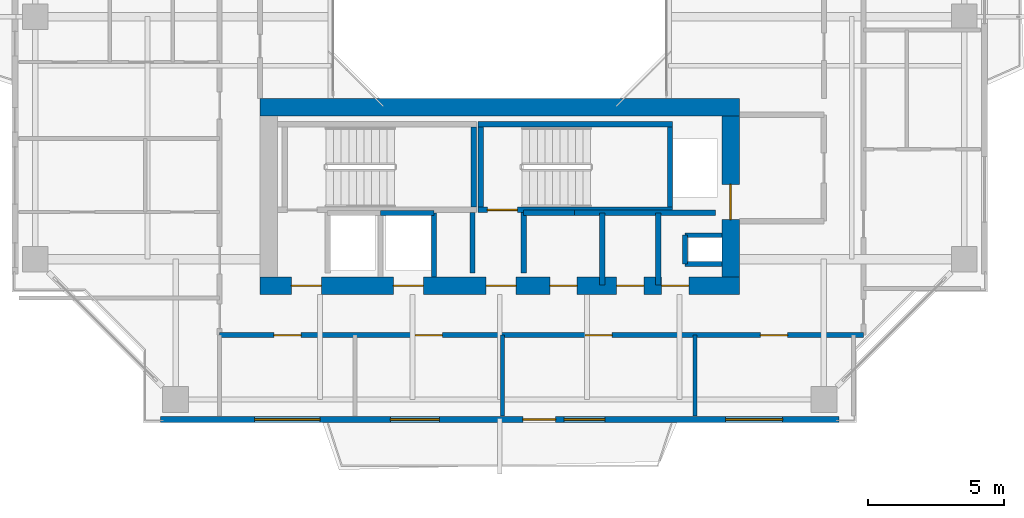
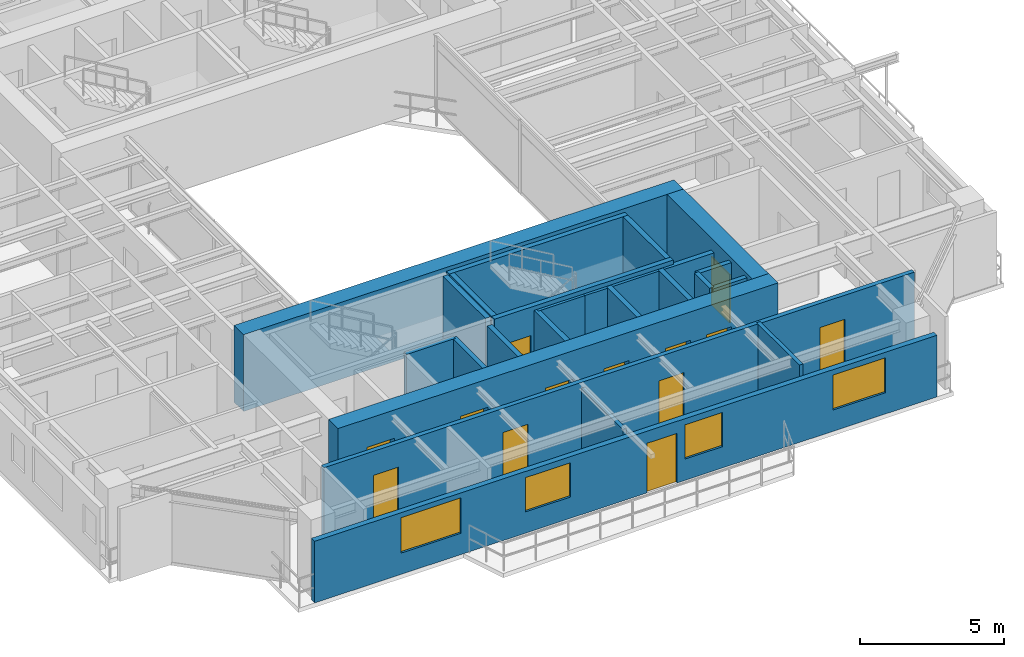
# One storey, part 11 of 18: 23 walls, 13 doors, 4 windows, 17 openings.
"""IFC4 building model written with IfcOpenShell, lengths in metres."""

import ifcopenshell
import ifcopenshell.guid

model = None  # the IFC model being written
_history = None  # IfcOwnerHistory: only IFC2X3 demands one
_inside = {}  # id of a spatial element -> (the spatial element, [elements in it])
_under = {}  # id of a project, library or spatial element -> (it, [spatial elements below it])
_declared = {}  # id of a project -> (the project, [libraries it declares])
_typed = {}  # id of a type object -> (the type object, [elements of that type])
_made_of = {}  # id of a material, layer set ... -> (it, [elements and type objects made of it])


def new_model(schema):
    """Start an empty IFC model of exactly this schema.

    Asked for "IFC4X3", IfcOpenShell would pick the latest addendum, in which some entities
    have other attributes; the version numbers below select the first issue.
    IFC2X3 requires an IfcOwnerHistory on every rooted entity: one is made here for all.
    """
    global model, _history
    if schema == "IFC4X3":
        model = ifcopenshell.file(schema_version=(4, 3, 0, 0))
    else:
        model = ifcopenshell.file(schema=schema)
    _inside.clear()
    _under.clear()
    _declared.clear()
    _typed.clear()
    _made_of.clear()
    _history = None
    if model.schema == "IFC2X3":
        org = make("IfcOrganization", Name="unknown")
        user = make(
            "IfcPersonAndOrganization",
            ThePerson=make("IfcPerson", FamilyName="unknown"),
            TheOrganization=org,
        )
        app = make(
            "IfcApplication",
            ApplicationDeveloper=org,
            Version="unknown",
            ApplicationFullName="unknown",
            ApplicationIdentifier="unknown",
        )
        _history = make(
            "IfcOwnerHistory",
            OwningUser=user,
            OwningApplication=app,
            ChangeAction="ADDED",
            CreationDate=0,
        )
    return model


def make(cls, **values):
    """One entity of the class cls with the attributes given. An attribute that is None is left unset."""
    return model.create_entity(
        cls, **{name: value for name, value in values.items() if value is not None}
    )


def rooted(cls, **values):
    """An entity with a GlobalId (a new one), such as an element, a storey or a relation."""
    return make(cls, GlobalId=ifcopenshell.guid.new(), OwnerHistory=_history, **values)


def si_unit(unit_type, name, prefix=None):
    """IfcSIUnit, for example si_unit("LENGTHUNIT", "METRE", prefix="MILLI")."""
    return make("IfcSIUnit", UnitType=unit_type, Prefix=prefix, Name=name)


def assignment(units):
    """IfcUnitAssignment: the units of a project."""
    return None if units is None else make("IfcUnitAssignment", Units=units)


def point(xyz):
    """IfcCartesianPoint."""
    return None if xyz is None else make("IfcCartesianPoint", Coordinates=xyz)


def direction(xyz):
    """IfcDirection."""
    return None if xyz is None else make("IfcDirection", DirectionRatios=xyz)


def frame(location, z_axis=None, x_axis=None):
    """IfcAxis2Placement3D, a coordinate frame: its origin and axes. An axis left out is left unset."""
    return make(
        "IfcAxis2Placement3D",
        Location=point(location),
        Axis=direction(z_axis),
        RefDirection=direction(x_axis),
    )


def frame_2d(location, x_axis=None):
    """IfcAxis2Placement2D, a coordinate frame in the plane: its origin and x axis."""
    return make(
        "IfcAxis2Placement2D", Location=point(location), RefDirection=direction(x_axis)
    )


def origin():
    """The frame at (0, 0, 0) with its axes left unset."""
    return frame((0.0, 0.0, 0.0))


def place(relative_to, where):
    """IfcLocalPlacement: puts the frame where relative to a parent placement (None: the world)."""
    return make(
        "IfcLocalPlacement", PlacementRelTo=relative_to, RelativePlacement=where
    )


def context(
    kind, dimensions, precision=None, world=None, true_north=None, identifier=None
):
    """IfcGeometricRepresentationContext, for example the 3D "Model" context."""
    return make(
        "IfcGeometricRepresentationContext",
        ContextIdentifier=identifier,
        ContextType=kind,
        CoordinateSpaceDimension=dimensions,
        Precision=precision,
        WorldCoordinateSystem=world,
        TrueNorth=true_north,
    )


def subcontext(parent, identifier, kind, view, scale=None):
    """IfcGeometricRepresentationSubContext, for example "Body" below "Model"."""
    return make(
        "IfcGeometricRepresentationSubContext",
        ContextIdentifier=identifier,
        ContextType=kind,
        ParentContext=parent,
        TargetScale=scale,
        TargetView=view,
    )


def project(units=None, contexts=None):
    """IfcProject with its units and contexts."""
    return rooted(
        "IfcProject",
        Name="project",
        RepresentationContexts=contexts,
        UnitsInContext=assignment(units),
    )


def spatial(cls, under=None, at=None, **own):
    """A site, building, storey or space (cls), placed at a placement, below another one or the project."""
    s = rooted(cls, ObjectPlacement=at, **own)
    if under is not None:
        _under.setdefault(under.id(), (under, []))[1].append(s)
    return s


def profile(cls, at=None, kind="AREA", **sizes):
    """A parametric profile (cls). Its sizes go by their IFC names, for example OverallWidth=200.0."""
    return make(cls, ProfileType=kind, Position=at, **sizes)


def rectangle(**sizes):
    """IfcRectangleProfileDef."""
    return profile("IfcRectangleProfileDef", **sizes)


def extrude(swept, where, along, depth):
    """IfcExtrudedAreaSolid: the profile swept, set in the frame where, extruded along a direction by depth."""
    return make(
        "IfcExtrudedAreaSolid",
        SweptArea=swept,
        Position=where,
        ExtrudedDirection=direction(along),
        Depth=depth,
    )


def shape(context_of_items, identifier, shape_type, items):
    """IfcShapeRepresentation: the items that make up one representation, for example the "Body"."""
    return make(
        "IfcShapeRepresentation",
        ContextOfItems=context_of_items,
        RepresentationIdentifier=identifier,
        RepresentationType=shape_type,
        Items=items,
    )


def source(mapping_origin, context_of_items, identifier, shape_type, items):
    """IfcRepresentationMap: a shape defined once, which mapped items show again and again."""
    return make(
        "IfcRepresentationMap",
        MappingOrigin=mapping_origin,
        MappedRepresentation=shape(context_of_items, identifier, shape_type, items),
    )


def transform(
    local_origin,
    x_axis=None,
    y_axis=None,
    z_axis=None,
    scale=None,
    scale2=None,
    scale3=None,
    uniform=True,
):
    """IfcCartesianTransformationOperator3D, or its non-uniform kind. x_axis, y_axis, z_axis: its Axis1, 2, 3."""
    if uniform:
        return make(
            "IfcCartesianTransformationOperator3D",
            Axis1=direction(x_axis),
            Axis2=direction(y_axis),
            LocalOrigin=point(local_origin),
            Scale=scale,
            Axis3=direction(z_axis),
        )
    return make(
        "IfcCartesianTransformationOperator3DnonUniform",
        Axis1=direction(x_axis),
        Axis2=direction(y_axis),
        LocalOrigin=point(local_origin),
        Scale=scale,
        Axis3=direction(z_axis),
        Scale2=scale2,
        Scale3=scale3,
    )


def mapped(mapping_source, mapping_target):
    """IfcMappedItem: shows the shape of a source again, moved by a transform."""
    return make(
        "IfcMappedItem", MappingSource=mapping_source, MappingTarget=mapping_target
    )


def material(Name=None, Category=None):
    """IfcMaterial."""
    return make("IfcMaterial", Name=Name, Category=Category)


def layer(
    of_material, thickness, ventilated=None, Name=None, Category=None, Priority=None
):
    """IfcMaterialLayer: one layer of a wall or slab, of a material (None: an air gap)."""
    return make(
        "IfcMaterialLayer",
        Material=of_material,
        LayerThickness=thickness,
        IsVentilated=ventilated,
        Name=Name,
        Category=Category,
        Priority=Priority,
    )


def layer_set(layers, Name=None):
    """IfcMaterialLayerSet."""
    return make("IfcMaterialLayerSet", MaterialLayers=layers, LayerSetName=Name)


def made_of(thing, what):
    """Note that an element or type object is made of a material, layer set ...; save() writes the relation."""
    if what is not None:
        _made_of.setdefault(what.id(), (what, []))[1].append(thing)
    return thing


def type_object(cls, material=None, **own):
    """A type object (cls), such as IfcWallType, which elements share."""
    return made_of(rooted(cls, **own), material)


def element(
    cls,
    number,
    at=None,
    inside=None,
    cuts=None,
    type_object=None,
    material=None,
    context=None,
    identifier="Body",
    shape_type=None,
    held_by="IfcProductDefinitionShape",
    body=None,
    shapes=None,
    **own,
):
    """One element of the class cls, such as IfcWall. Its Tag is "e" and its number.

    at: its placement. inside: the storey or other place that contains it. cuts: it is an
    opening in that element (IfcRelVoidsElement). A single representation is given by context,
    identifier, shape_type and body (its items); several are given by shapes. held_by: the class
    of the entity that holds the representations. save() writes the other relations.
    """
    e = rooted(cls, Tag="e%d" % number, ObjectPlacement=at, **own)
    if body is not None:
        shapes = [shape(context, identifier, shape_type, body)]
    if shapes is not None:
        e.Representation = make(held_by, Representations=shapes)
    if inside is not None:
        _inside.setdefault(inside.id(), (inside, []))[1].append(e)
    if cuts is not None:
        rooted(
            "IfcRelVoidsElement", RelatingBuildingElement=cuts, RelatedOpeningElement=e
        )
    if type_object is not None:
        _typed.setdefault(type_object.id(), (type_object, []))[1].append(e)
    return made_of(e, material)


def fill(opening, filler):
    """IfcRelFillsElement: the door or window that sits in an opening."""
    return rooted(
        "IfcRelFillsElement",
        RelatingOpeningElement=opening,
        RelatedBuildingElement=filler,
    )


def aggregate(whole, parts):
    """IfcRelAggregates: a whole, such as a stair, and the parts it consists of."""
    return rooted("IfcRelAggregates", RelatingObject=whole, RelatedObjects=parts)


def save(model, path):
    """Write the relations noted so far, then the file.

    IfcRelAggregates (storeys below a building ...), IfcRelContainedInSpatialStructure (elements
    in a storey), IfcRelDefinesByType, IfcRelAssociatesMaterial and IfcRelDeclares: one each for
    every whole, place, type object, material and project.
    """
    for whole, parts in _under.values():
        aggregate(whole, parts)
    for where, things in _inside.values():
        rooted(
            "IfcRelContainedInSpatialStructure",
            RelatedElements=things,
            RelatingStructure=where,
        )
    for kind, things in _typed.values():
        rooted("IfcRelDefinesByType", RelatedObjects=things, RelatingType=kind)
    for what, things in _made_of.values():
        rooted("IfcRelAssociatesMaterial", RelatedObjects=things, RelatingMaterial=what)
    for by, libraries in _declared.values():
        rooted("IfcRelDeclares", RelatingContext=by, RelatedDefinitions=libraries)
    model.write(path)


model = new_model("IFC4")

# Units and contexts
model_context = context("Model", 3, precision=1e-05, world=origin(), true_north=direction((0.0, 1.0)))
body_context = subcontext(model_context, "Body", "Model", "MODEL_VIEW")
ifc_project = project(units=[si_unit("LENGTHUNIT", "METRE"), si_unit("AREAUNIT", "SQUARE_METRE"), si_unit("VOLUMEUNIT", "CUBIC_METRE"), si_unit("PLANEANGLEUNIT", "RADIAN"), si_unit("MASSUNIT", "GRAM", prefix="KILO"), si_unit("THERMODYNAMICTEMPERATUREUNIT", "KELVIN"), si_unit("POWERUNIT", "WATT")], contexts=[model_context])

# Site, building, storey
site_placement = place(None, origin())
site = spatial("IfcSite", under=ifc_project, at=site_placement, CompositionType="ELEMENT")
building_placement = place(site_placement, origin())
building = spatial("IfcBuilding", under=site, at=building_placement, Name="Qiaomeng Ring Towers", CompositionType="ELEMENT")
storey_placement = place(building_placement, frame((0.0, 0.0, 179.5)))
storey = spatial("IfcBuildingStorey", under=building, at=storey_placement, Name="L52", CompositionType="ELEMENT", Elevation=179.5)

# Wall, openings, windows, door
ifc_material_1 = material(Name="Precast concrete C40", Category="concrete")
ifc_layer_1 = layer(ifc_material_1, 0.219970703125, Name="Precast concrete C40")
ifc_layer_set_1 = layer_set([ifc_layer_1], Name="Precast concrete C40")
wall_type_1 = type_object("IfcWallType", Name="ARC-WL-EW2", PredefinedType="STANDARD", material=ifc_layer_set_1)
wall_1_placement = place(storey_placement, frame((6.550048828125, 5.2099609375, 0.0), z_axis=(0.0, 0.0, 1.0), x_axis=(1.0, 0.0, 0.0)))
wall_1 = element("IfcWall", 1, at=wall_1_placement, inside=storey, type_object=wall_type_1, Name="L52 Tower 1 S Exterior Wall", PredefinedType="STANDARD", context=body_context, shape_type="SweptSolid", body=[
    extrude(rectangle(XDim=24.89990234375, YDim=0.219970703125, at=frame_2d((12.449951171875, 0.0))), origin(), (0.0, 0.0, 1.0), 2.610107421875),
])
opening_1_placement = place(wall_1_placement, frame((13.300048828125, 0.0, 0.0)))
opening_1 = element("IfcOpeningElement", 2, at=opening_1_placement, cuts=wall_1, Name="Opening BD1", PredefinedType="OPENING", context=body_context, shape_type="SweptSolid", body=[
    extrude(rectangle(XDim=1.199951171875, YDim=2.10009765625, at=frame_2d((0.60009765625, 1.050048828125))), frame((0.0, 0.119873046875, 0.0), z_axis=(0.0, -1.0, 0.0), x_axis=(1.0, 0.0, 0.0)), (0.0, 0.0, 1.0), 0.239990234375),
])
opening_2_placement = place(wall_1_placement, frame((3.455078125, 0.0, 0.89990234375)))
opening_2 = element("IfcOpeningElement", 3, at=opening_2_placement, cuts=wall_1, Name="Opening WN6", PredefinedType="OPENING", context=body_context, shape_type="SweptSolid", body=[
    extrude(rectangle(XDim=2.39990234375, YDim=1.5, at=frame_2d((1.199951171875, 0.75))), frame((0.0, 0.119873046875, 0.0), z_axis=(0.0, -1.0, 0.0), x_axis=(1.0, 0.0, 0.0)), (0.0, 0.0, 1.0), 0.239990234375),
])
opening_3_placement = place(wall_1_placement, frame((8.43798828125, 0.0, 0.89990234375)))
opening_3 = element("IfcOpeningElement", 4, at=opening_3_placement, cuts=wall_1, Name="Opening WN1", PredefinedType="OPENING", context=body_context, shape_type="SweptSolid", body=[
    extrude(rectangle(XDim=1.800048828125, YDim=1.449951171875, at=frame_2d((0.89990234375, 0.72509765625))), frame((0.0, 0.119873046875, 0.0), z_axis=(0.0, -1.0, 0.0), x_axis=(1.0, 0.0, 0.0)), (0.0, 0.0, 1.0), 0.239990234375),
])
opening_4_placement = place(wall_1_placement, frame((14.81298828125, 0.0, 0.89990234375)))
opening_4 = element("IfcOpeningElement", 5, at=opening_4_placement, cuts=wall_1, Name="Opening WN2", PredefinedType="OPENING", context=body_context, shape_type="SweptSolid", body=[
    extrude(rectangle(XDim=1.5, YDim=1.449951171875, at=frame_2d((0.75, 0.72509765625))), frame((0.0, 0.119873046875, 0.0), z_axis=(0.0, -1.0, 0.0), x_axis=(1.0, 0.0, 0.0)), (0.0, 0.0, 1.0), 0.239990234375),
])
opening_5_placement = place(wall_1_placement, frame((20.738037109375, 0.0, 0.89990234375)))
opening_5 = element("IfcOpeningElement", 6, at=opening_5_placement, cuts=wall_1, Name="Opening WN4", PredefinedType="OPENING", context=body_context, shape_type="SweptSolid", body=[
    extrude(rectangle(XDim=2.10009765625, YDim=1.47998046875, at=frame_2d((1.050048828125, 0.739990234375))), frame((0.0, 0.119873046875, 0.0), z_axis=(0.0, -1.0, 0.0), x_axis=(1.0, 0.0, 0.0)), (0.0, 0.0, 1.0), 0.239990234375),
])
ifc_material_2 = material(Name="Low-E dark-grey laminated double glazing", Category="glass")
window_type_1 = type_object("IfcWindowType", Name="ARC-WN-2", PartitioningType="DOUBLE_PANEL_VERTICAL", PredefinedType="WINDOW", material=ifc_material_2)
shared_shape_1 = source(origin(), body_context, "Body", "SweptSolid", [
    extrude(rectangle(XDim=1.5, YDim=1.449951171875, at=frame_2d((0.75, 0.72509765625))), frame((0.0, 0.030029296875, 0.0), z_axis=(0.0, -1.0, 0.0), x_axis=(1.0, 0.0, 0.0)), (0.0, 0.0, 1.0), 0.06005859375),
])
window_1_placement = place(opening_4_placement, origin())
window_1 = element("IfcWindow", 7, at=window_1_placement, inside=storey, type_object=window_type_1, Name="L52 Exterior Window WN2", OverallHeight=1.449951171875, OverallWidth=1.5, PartitioningType="DOUBLE_PANEL_VERTICAL", PredefinedType="WINDOW", context=body_context, shape_type="MappedRepresentation", body=[
    mapped(shared_shape_1, transform((0.0, 0.0, 0.0), x_axis=(1.0, 0.0, 0.0), y_axis=(0.0, 1.0, 0.0), z_axis=(0.0, 0.0, 1.0), scale=1.0)),
])
fill(opening_4, window_1)
window_type_2 = type_object("IfcWindowType", Name="ARC-WN-4", PartitioningType="TRIPLE_PANEL_VERTICAL", PredefinedType="WINDOW", material=ifc_material_2)
shared_shape_2 = source(origin(), body_context, "Body", "SweptSolid", [
    extrude(rectangle(XDim=2.10009765625, YDim=1.47998046875, at=frame_2d((1.050048828125, 0.739990234375))), frame((0.0, 0.030029296875, 0.0), z_axis=(0.0, -1.0, 0.0), x_axis=(1.0, 0.0, 0.0)), (0.0, 0.0, 1.0), 0.06005859375),
])
window_2_placement = place(opening_5_placement, origin())
window_2 = element("IfcWindow", 8, at=window_2_placement, inside=storey, type_object=window_type_2, Name="L52 Exterior Window WN4", OverallHeight=1.47998046875, OverallWidth=2.10009765625, PartitioningType="TRIPLE_PANEL_VERTICAL", PredefinedType="WINDOW", context=body_context, shape_type="MappedRepresentation", body=[
    mapped(shared_shape_2, transform((0.0, 0.0, 0.0), x_axis=(1.0, 0.0, 0.0), y_axis=(0.0, 1.0, 0.0), z_axis=(0.0, 0.0, 1.0), scale=1.0)),
])
fill(opening_5, window_2)
window_type_3 = type_object("IfcWindowType", Name="ARC-WN-1", PartitioningType="DOUBLE_PANEL_VERTICAL", PredefinedType="WINDOW", material=ifc_material_2)
shared_shape_3 = source(origin(), body_context, "Body", "SweptSolid", [
    extrude(rectangle(XDim=1.800048828125, YDim=1.449951171875, at=frame_2d((0.89990234375, 0.72509765625))), frame((0.0, 0.030029296875, 0.0), z_axis=(0.0, -1.0, 0.0), x_axis=(1.0, 0.0, 0.0)), (0.0, 0.0, 1.0), 0.06005859375),
])
window_3_placement = place(opening_3_placement, origin())
window_3 = element("IfcWindow", 9, at=window_3_placement, inside=storey, type_object=window_type_3, Name="L52 Exterior Window WN1", OverallHeight=1.449951171875, OverallWidth=1.800048828125, PartitioningType="DOUBLE_PANEL_VERTICAL", PredefinedType="WINDOW", context=body_context, shape_type="MappedRepresentation", body=[
    mapped(shared_shape_3, transform((0.0, 0.0, 0.0), x_axis=(1.0, 0.0, 0.0), y_axis=(0.0, 1.0, 0.0), z_axis=(0.0, 0.0, 1.0), scale=1.0)),
])
fill(opening_3, window_3)
door_type_1 = type_object("IfcDoorType", Name="ARC-DR-BD1", OperationType="NOTDEFINED", PredefinedType="DOOR", material=ifc_material_2)
shared_shape_4 = source(origin(), body_context, "Body", "SweptSolid", [
    extrude(rectangle(XDim=1.199951171875, YDim=2.10009765625, at=frame_2d((0.60009765625, 1.050048828125))), frame((0.0, 0.02490234375, 0.0), z_axis=(0.0, -1.0, 0.0), x_axis=(1.0, 0.0, 0.0)), (0.0, 0.0, 1.0), 0.050048828125),
])
door_1_placement = place(opening_1_placement, frame((1.199951171875, 0.0, 0.0), z_axis=(0.0, 0.0, 1.0), x_axis=(-1.0, 0.0, 0.0)))
door_1 = element("IfcDoor", 10, at=door_1_placement, inside=storey, type_object=door_type_1, Name="L52 S Balcony Glazed Door", OperationType="SINGLE_SWING_LEFT", OverallHeight=2.10009765625, OverallWidth=1.199951171875, PredefinedType="DOOR", context=body_context, shape_type="MappedRepresentation", body=[
    mapped(shared_shape_4, transform((0.0, 0.0, 0.0), x_axis=(1.0, 0.0, 0.0), y_axis=(0.0, 1.0, 0.0), z_axis=(0.0, 0.0, 1.0), scale=1.0)),
])
fill(opening_1, door_1)
window_type_4 = type_object("IfcWindowType", Name="ARC-WN-6", PartitioningType="TRIPLE_PANEL_VERTICAL", PredefinedType="WINDOW", material=ifc_material_2)
shared_shape_5 = source(origin(), body_context, "Body", "SweptSolid", [
    extrude(rectangle(XDim=2.39990234375, YDim=1.5, at=frame_2d((1.199951171875, 0.75))), frame((0.0, 0.030029296875, 0.0), z_axis=(0.0, -1.0, 0.0), x_axis=(1.0, 0.0, 0.0)), (0.0, 0.0, 1.0), 0.06005859375),
])
window_4_placement = place(opening_2_placement, origin())
window_4 = element("IfcWindow", 11, at=window_4_placement, inside=storey, type_object=window_type_4, Name="L52 Exterior Window WN6", OverallHeight=1.5, OverallWidth=2.39990234375, PartitioningType="TRIPLE_PANEL_VERTICAL", PredefinedType="WINDOW", context=body_context, shape_type="MappedRepresentation", body=[
    mapped(shared_shape_5, transform((0.0, 0.0, 0.0), x_axis=(1.0, 0.0, 0.0), y_axis=(0.0, 1.0, 0.0), z_axis=(0.0, 0.0, 1.0), scale=1.0)),
])
fill(opening_2, window_4)

# Walls
ifc_material_3 = material(Name="Autoclaved aerated concrete block", Category="concrete")
ifc_layer_2 = layer(ifc_material_3, 0.199951171875, Name="Autoclaved aerated concrete block")
ifc_layer_set_2 = layer_set([ifc_layer_2], Name="Autoclaved aerated concrete block")
wall_type_2 = type_object("IfcWallType", Name="ARC-WL-PW1", PredefinedType="PARTITIONING", material=ifc_layer_set_2)
for number, where, z_axis, x_axis, name in (
    (12, (18.0, 10.60009765625, 0.0), (0.0, 0.0, 1.0), (0.0, 1.0, 0.0), "L52 Interior Wall PW1"),
    (13, (19.8798828125, 10.60009765625, 0.0), (0.0, 0.0, 1.0), (0.0, 1.0, 0.0), "L52 Interior Wall PW1"),
):
    element("IfcWall", number, at=place(storey_placement, frame(where, z_axis=z_axis, x_axis=x_axis)), inside=storey, type_object=wall_type_2, Name=name, PredefinedType="PARTITIONING", context=body_context, shape_type="SweptSolid", body=[
        extrude(rectangle(XDim=2.2099609375, YDim=0.199951171875, at=frame_2d((1.10498046875, 0.0))), origin(), (0.0, 0.0, 1.0), 3.070068359375),
    ])
wall_2_placement = place(storey_placement, frame((24.820068359375, 10.14990234375, 0.0), z_axis=(0.0, 0.0, 1.0), x_axis=(0.0, 1.0, 0.0)))
element("IfcWall", 14, at=wall_2_placement, inside=storey, type_object=wall_type_2, Name="L52 Interior Wall PW1", PredefinedType="PARTITIONING", context=body_context, shape_type="SweptSolid", body=[
    extrude(rectangle(XDim=2.650146484375, YDim=0.199951171875, at=frame_2d((1.3251953125, 0.0))), origin(), (0.0, 0.0, 1.0), 3.070068359375),
])
wall_3_placement = place(storey_placement, frame((19.8798828125, 12.800048828125, 0.0), z_axis=(0.0, 0.0, 1.0), x_axis=(1.0, 0.0, 0.0)))
element("IfcWall", 15, at=wall_3_placement, inside=storey, type_object=wall_type_2, Name="L52 Interior Wall PW1", PredefinedType="PARTITIONING", context=body_context, shape_type="SweptSolid", body=[
    extrude(rectangle(XDim=1.8701171875, YDim=0.199951171875, at=frame_2d((0.93505859375, 0.0))), origin(), (0.0, 0.0, 1.0), 3.070068359375),
])
wall_4_placement = place(storey_placement, frame((22.760009765625, 10.14990234375, 0.0), z_axis=(0.0, 0.0, 1.0), x_axis=(0.0, 1.0, 0.0)))
element("IfcWall", 16, at=wall_4_placement, inside=storey, type_object=wall_type_2, Name="L52 Interior Wall PW1", PredefinedType="PARTITIONING", context=body_context, shape_type="SweptSolid", body=[
    extrude(rectangle(XDim=2.650146484375, YDim=0.199951171875, at=frame_2d((1.3251953125, 0.0))), origin(), (0.0, 0.0, 1.0), 3.070068359375),
])
wall_5_placement = place(storey_placement, frame((21.75, 12.800048828125, 0.0), z_axis=(0.0, 0.0, 1.0), x_axis=(1.0, 0.0, 0.0)))
element("IfcWall", 17, at=wall_5_placement, inside=storey, type_object=wall_type_2, Name="L52 Interior Wall PW1", PredefinedType="PARTITIONING", context=body_context, shape_type="SweptSolid", body=[
    extrude(rectangle(XDim=5.169921875, YDim=0.199951171875, at=frame_2d((2.5849609375, 0.0))), origin(), (0.0, 0.0, 1.0), 3.070068359375),
])

# Wall, openings, doors
ifc_layer_3 = layer(ifc_material_3, 0.179931640625, Name="Autoclaved aerated concrete block")
ifc_layer_set_3 = layer_set([ifc_layer_3], Name="Autoclaved aerated concrete block")
wall_type_3 = type_object("IfcWallType", Name="ARC-WL-PW2", PredefinedType="PARTITIONING", material=ifc_layer_set_3)
wall_6_placement = place(storey_placement, frame((8.719970703125, 8.31005859375, 0.0), z_axis=(0.0, 0.0, 1.0), x_axis=(1.0, 0.0, 0.0)))
wall_6 = element("IfcWall", 18, at=wall_6_placement, inside=storey, type_object=wall_type_3, Name="L52 Interior Wall PW2", PredefinedType="PARTITIONING", context=body_context, shape_type="SweptSolid", body=[
    extrude(rectangle(XDim=23.630126953125, YDim=0.179931640625, at=frame_2d((11.81494140625, 0.0))), origin(), (0.0, 0.0, 1.0), 3.070068359375),
])
opening_6_placement = place(wall_6_placement, frame((1.985107421875, 0.0, 0.0)))
opening_6 = element("IfcOpeningElement", 19, at=opening_6_placement, cuts=wall_6, Name="Opening FD4", PredefinedType="OPENING", context=body_context, shape_type="SweptSolid", body=[
    extrude(rectangle(XDim=1.0, YDim=2.050048828125, at=frame_2d((0.5, 1.02490234375))), frame((0.0, 0.099853515625, 0.0), z_axis=(0.0, -1.0, 0.0), x_axis=(1.0, 0.0, 0.0)), (0.0, 0.0, 1.0), 0.199951171875),
])
opening_7_placement = place(wall_6_placement, frame((7.175048828125, 0.0, 0.0)))
opening_7 = element("IfcOpeningElement", 20, at=opening_7_placement, cuts=wall_6, Name="Opening FD4", PredefinedType="OPENING", context=body_context, shape_type="SweptSolid", body=[
    extrude(rectangle(XDim=1.0, YDim=2.050048828125, at=frame_2d((0.5, 1.02490234375))), frame((0.0, 0.099853515625, 0.0), z_axis=(0.0, -1.0, 0.0), x_axis=(1.0, 0.0, 0.0)), (0.0, 0.0, 1.0), 0.199951171875),
])
opening_8_placement = place(wall_6_placement, frame((13.409912109375, 0.0, 0.0)))
opening_8 = element("IfcOpeningElement", 21, at=opening_8_placement, cuts=wall_6, Name="Opening FD4", PredefinedType="OPENING", context=body_context, shape_type="SweptSolid", body=[
    extrude(rectangle(XDim=1.0, YDim=2.050048828125, at=frame_2d((0.5, 1.02490234375))), frame((0.0, 0.099853515625, 0.0), z_axis=(0.0, -1.0, 0.0), x_axis=(1.0, 0.0, 0.0)), (0.0, 0.0, 1.0), 0.199951171875),
])
opening_9_placement = place(wall_6_placement, frame((19.85009765625, 0.0, 0.0)))
opening_9 = element("IfcOpeningElement", 22, at=opening_9_placement, cuts=wall_6, Name="Opening FD4", PredefinedType="OPENING", context=body_context, shape_type="SweptSolid", body=[
    extrude(rectangle(XDim=1.0, YDim=2.050048828125, at=frame_2d((0.5, 1.02490234375))), frame((0.0, 0.099853515625, 0.0), z_axis=(0.0, -1.0, 0.0), x_axis=(1.0, 0.0, 0.0)), (0.0, 0.0, 1.0), 0.199951171875),
])
ifc_material_4 = material(Name="Engineered fire-rated oak timber", Category="wood")
door_type_2 = type_object("IfcDoorType", Name="ARC-DR-FD4", OperationType="NOTDEFINED", PredefinedType="DOOR", material=ifc_material_4)
shared_shape_6 = source(origin(), body_context, "Body", "SweptSolid", [
    extrude(rectangle(XDim=1.0, YDim=2.050048828125, at=frame_2d((0.5, 1.02490234375))), frame((0.0, 0.02490234375, 0.0), z_axis=(0.0, -1.0, 0.0), x_axis=(1.0, 0.0, 0.0)), (0.0, 0.0, 1.0), 0.050048828125),
])
door_2_placement = place(opening_6_placement, origin())
door_2 = element("IfcDoor", 23, at=door_2_placement, inside=storey, type_object=door_type_2, Name="L52 Door FD4", OperationType="SINGLE_SWING_LEFT", OverallHeight=2.050048828125, OverallWidth=1.0, PredefinedType="DOOR", context=body_context, shape_type="MappedRepresentation", body=[
    mapped(shared_shape_6, transform((0.0, 0.0, 0.0), x_axis=(1.0, 0.0, 0.0), y_axis=(0.0, 1.0, 0.0), z_axis=(0.0, 0.0, 1.0), scale=1.0)),
])
fill(opening_6, door_2)
door_3_placement = place(opening_7_placement, origin())
door_3 = element("IfcDoor", 24, at=door_3_placement, inside=storey, type_object=door_type_2, Name="L52 Door FD4", OperationType="SINGLE_SWING_RIGHT", OverallHeight=2.050048828125, OverallWidth=1.0, PredefinedType="DOOR", context=body_context, shape_type="MappedRepresentation", body=[
    mapped(shared_shape_6, transform((0.0, 0.0, 0.0), x_axis=(1.0, 0.0, 0.0), y_axis=(0.0, 1.0, 0.0), z_axis=(0.0, 0.0, 1.0), scale=1.0)),
])
fill(opening_7, door_3)
door_4_placement = place(opening_8_placement, origin())
door_4 = element("IfcDoor", 25, at=door_4_placement, inside=storey, type_object=door_type_2, Name="L52 Door FD4", OperationType="SINGLE_SWING_LEFT", OverallHeight=2.050048828125, OverallWidth=1.0, PredefinedType="DOOR", context=body_context, shape_type="MappedRepresentation", body=[
    mapped(shared_shape_6, transform((0.0, 0.0, 0.0), x_axis=(1.0, 0.0, 0.0), y_axis=(0.0, 1.0, 0.0), z_axis=(0.0, 0.0, 1.0), scale=1.0)),
])
fill(opening_8, door_4)
door_5_placement = place(opening_9_placement, origin())
door_5 = element("IfcDoor", 26, at=door_5_placement, inside=storey, type_object=door_type_2, Name="L52 Door FD4", OperationType="SINGLE_SWING_RIGHT", OverallHeight=2.050048828125, OverallWidth=1.0, PredefinedType="DOOR", context=body_context, shape_type="MappedRepresentation", body=[
    mapped(shared_shape_6, transform((0.0, 0.0, 0.0), x_axis=(1.0, 0.0, 0.0), y_axis=(0.0, 1.0, 0.0), z_axis=(0.0, 0.0, 1.0), scale=1.0)),
])
fill(opening_9, door_5)

# Walls
ifc_material_5 = material(Name="Gypsum fireboard steel-stud partition", Category="steel")
ifc_layer_4 = layer(ifc_material_5, 0.14990234375, Name="Gypsum fireboard steel-stud partition")
ifc_layer_set_4 = layer_set([ifc_layer_4], Name="Gypsum fireboard steel-stud partition")
wall_type_4 = type_object("IfcWallType", Name="ARC-WL-PW3", PredefinedType="PARTITIONING", material=ifc_layer_set_4)
wall_7_placement = place(storey_placement, frame((19.10009765625, 5.35009765625, 0.0), z_axis=(0.0, 0.0, 1.0), x_axis=(0.0, 1.0, 0.0)))
element("IfcWall", 27, at=wall_7_placement, inside=storey, type_object=wall_type_4, Name="L52 Interior Wall PW3", PredefinedType="PARTITIONING", context=body_context, shape_type="SweptSolid", body=[
    extrude(rectangle(XDim=2.9599609375, YDim=0.14990234375, at=frame_2d((1.47998046875, 0.0))), origin(), (0.0, 0.0, 1.0), 2.821044921875),
])
wall_8_placement = place(storey_placement, frame((26.159912109375, 5.35009765625, 0.0), z_axis=(0.0, 0.0, 1.0), x_axis=(0.0, 1.0, 0.0)))
element("IfcWall", 28, at=wall_8_placement, inside=storey, type_object=wall_type_4, Name="L52 Interior Wall PW3", PredefinedType="PARTITIONING", context=body_context, shape_type="SweptSolid", body=[
    extrude(rectangle(XDim=2.9599609375, YDim=0.14990234375, at=frame_2d((1.47998046875, 0.0))), origin(), (0.0, 0.0, 1.0), 3.070068359375),
])
ifc_material_6 = material(Name="Concrete C40", Category="concrete")
ifc_layer_5 = layer(ifc_material_6, 0.199951171875, Name="Concrete C40")
ifc_layer_set_5 = layer_set([ifc_layer_5], Name="Concrete C40")
wall_type_5 = type_object("IfcWallType", Name="STR-WL-STSHAFT", PredefinedType="SHEAR", material=ifc_layer_set_5)
wall_9_placement = place(storey_placement, frame((25.800048828125, 10.919921875, 0.0), z_axis=(0.0, 0.0, 1.0), x_axis=(0.0, 1.0, 0.0)))
element("IfcWall", 29, at=wall_9_placement, inside=storey, type_object=wall_type_5, Name="L52 Riser RSR1 West Shaft Wall S", PredefinedType="SHEAR", context=body_context, shape_type="SweptSolid", body=[
    extrude(rectangle(XDim=1.06005859375, YDim=0.179931640625, at=frame_2d((0.530029296875, 0.0))), origin(), (0.0, 0.0, 1.0), 3.070068359375),
])
for number, where, z_axis, x_axis, name in (
    (30, (25.800048828125, 11.97998046875, 0.0), (0.0, 0.0, 1.0), (1.0, 0.0, 0.0), "L52 Riser RSR1 North Shaft Wall S"),
    (31, (25.800048828125, 10.919921875, 0.0), (0.0, 0.0, 1.0), (1.0, 0.0, 0.0), "L52 Riser RSR1 South Shaft Wall S"),
):
    element("IfcWall", number, at=place(storey_placement, frame(where, z_axis=z_axis, x_axis=x_axis)), inside=storey, type_object=wall_type_5, Name=name, PredefinedType="SHEAR", context=body_context, shape_type="SweptSolid", body=[
        extrude(rectangle(XDim=1.349853515625, YDim=0.179931640625, at=frame_2d((0.6748046875, 0.0))), origin(), (0.0, 0.0, 1.0), 3.070068359375),
    ])
wall_10_placement = place(storey_placement, frame((14.6201171875, 12.800048828125, 0.0), z_axis=(0.0, 0.0, 1.0), x_axis=(1.0, 0.0, 0.0)))
element("IfcWall", 32, at=wall_10_placement, inside=storey, type_object=wall_type_5, Name="L52 Lift LP4 Shaft Back Wall", PredefinedType="SHEAR", context=body_context, shape_type="SweptSolid", body=[
    extrude(rectangle(XDim=1.9599609375, YDim=0.179931640625, at=frame_2d((0.97998046875, 0.0))), origin(), (0.0, 0.0, 1.0), 3.070068359375),
])
wall_11_placement = place(storey_placement, frame((16.580078125, 10.449951171875, 0.0), z_axis=(0.0, 0.0, 1.0), x_axis=(0.0, 1.0, 0.0)))
element("IfcWall", 33, at=wall_11_placement, inside=storey, type_object=wall_type_5, Name="L52 Lift LP4 East Shaft Wall", PredefinedType="SHEAR", context=body_context, shape_type="SweptSolid", body=[
    extrude(rectangle(XDim=2.35009765625, YDim=0.179931640625, at=frame_2d((1.175048828125, 0.0))), origin(), (0.0, 0.0, 1.0), 3.070068359375),
])
wall_12_placement = place(storey_placement, frame((18.050048828125, 13.010009765625, 0.0), z_axis=(0.0, 0.0, 1.0), x_axis=(0.0, 1.0, 0.0)))
element("IfcWall", 34, at=wall_12_placement, inside=storey, type_object=wall_type_5, Name="L52 Stair ST3 East Shaft Shear Wall", PredefinedType="SHEAR", context=body_context, shape_type="SweptSolid", body=[
    extrude(rectangle(XDim=2.93994140625, YDim=0.199951171875, at=frame_2d((1.469970703125, 0.0))), origin(), (0.0, 0.0, 1.0), 3.25),
])

# Wall, opening, door
wall_13_placement = place(storey_placement, frame((18.199951171875, 12.909912109375, 0.0), z_axis=(0.0, 0.0, 1.0), x_axis=(1.0, 0.0, 0.0)))
wall_13 = element("IfcWall", 35, at=wall_13_placement, inside=storey, type_object=wall_type_5, Name="L52 Stair ST4 South Shaft Shear Wall", PredefinedType="SHEAR", context=body_context, shape_type="SweptSolid", body=[
    extrude(rectangle(XDim=7.150146484375, YDim=0.199951171875, at=frame_2d((3.5751953125, 0.0))), origin(), (0.0, 0.0, 1.0), 3.25),
])
opening_10_placement = place(wall_13_placement, frame((0.35009765625, 0.0, 0.0)))
opening_10 = element("IfcOpeningElement", 36, at=opening_10_placement, cuts=wall_13, Name="Opening FD3", PredefinedType="OPENING", context=body_context, shape_type="SweptSolid", body=[
    extrude(rectangle(XDim=1.10009765625, YDim=2.050048828125, at=frame_2d((0.550048828125, 1.02490234375))), frame((0.0, 0.10986328125, 0.0), z_axis=(0.0, -1.0, 0.0), x_axis=(1.0, 0.0, 0.0)), (0.0, 0.0, 1.0), 0.219970703125),
])
ifc_material_7 = material(Name="Galvanised steel", Category="steel")
door_type_3 = type_object("IfcDoorType", Name="ARC-DR-FD3", OperationType="NOTDEFINED", PredefinedType="DOOR", material=ifc_material_7)
shared_shape_7 = source(origin(), body_context, "Body", "SweptSolid", [
    extrude(rectangle(XDim=1.10009765625, YDim=2.050048828125, at=frame_2d((0.550048828125, 1.02490234375))), frame((0.0, 0.02490234375, 0.0), z_axis=(0.0, -1.0, 0.0), x_axis=(1.0, 0.0, 0.0)), (0.0, 0.0, 1.0), 0.050048828125),
])
door_6_placement = place(opening_10_placement, frame((1.10009765625, 0.0, 0.0), z_axis=(0.0, 0.0, 1.0), x_axis=(-1.0, 0.0, 0.0)))
door_6 = element("IfcDoor", 37, at=door_6_placement, inside=storey, type_object=door_type_3, Name="L52 Stair ST4 Exit Door", OperationType="SINGLE_SWING_RIGHT", OverallHeight=2.050048828125, OverallWidth=1.10009765625, PredefinedType="DOOR", context=body_context, shape_type="MappedRepresentation", body=[
    mapped(shared_shape_7, transform((0.0, 0.0, 0.0), x_axis=(1.0, 0.0, 0.0), y_axis=(0.0, 1.0, 0.0), z_axis=(0.0, 0.0, 1.0), scale=1.0)),
])
fill(opening_10, door_6)

# Walls
wall_14_placement = place(storey_placement, frame((18.199951171875, 16.050048828125, 0.0), z_axis=(0.0, 0.0, 1.0), x_axis=(1.0, 0.0, 0.0)))
element("IfcWall", 38, at=wall_14_placement, inside=storey, type_object=wall_type_5, Name="L52 Stair ST4 North Shaft Shear Wall", PredefinedType="SHEAR", context=body_context, shape_type="SweptSolid", body=[
    extrude(rectangle(XDim=7.150146484375, YDim=0.199951171875, at=frame_2d((3.5751953125, 0.0))), origin(), (0.0, 0.0, 1.0), 3.25),
])
for number, where, z_axis, x_axis, name in (
    (39, (18.300048828125, 13.010009765625, 0.0), (0.0, 0.0, 1.0), (0.0, 1.0, 0.0), "L52 Stair ST4 West Shaft Shear Wall"),
    (40, (25.25, 13.010009765625, 0.0), (0.0, 0.0, 1.0), (0.0, 1.0, 0.0), "L52 Stair ST4 East Shaft Shear Wall"),
):
    element("IfcWall", number, at=place(storey_placement, frame(where, z_axis=z_axis, x_axis=x_axis)), inside=storey, type_object=wall_type_5, Name=name, PredefinedType="SHEAR", context=body_context, shape_type="SweptSolid", body=[
        extrude(rectangle(XDim=2.93994140625, YDim=0.199951171875, at=frame_2d((1.469970703125, 0.0))), origin(), (0.0, 0.0, 1.0), 3.25),
    ])

# Wall, openings, doors
ifc_material_8 = material(Name="Concrete C50", Category="concrete")
ifc_layer_6 = layer(ifc_material_8, 0.64990234375, Name="Concrete C50")
ifc_layer_set_6 = layer_set([ifc_layer_6], Name="Concrete C50")
wall_type_6 = type_object("IfcWallType", Name="STR-WL-SW2B", PredefinedType="SHEAR", material=ifc_layer_set_6)
wall_15_placement = place(storey_placement, frame((10.199951171875, 10.125, 0.0), z_axis=(0.0, 0.0, 1.0), x_axis=(1.0, 0.0, 0.0)))
wall_15 = element("IfcWall", 41, at=wall_15_placement, inside=storey, type_object=wall_type_6, Name="L52 T1SC south core shear wall", PredefinedType="SHEAR", context=body_context, shape_type="SweptSolid", body=[
    extrude(rectangle(XDim=17.60009765625, YDim=0.64990234375, at=frame_2d((8.800048828125, 0.0))), origin(), (0.0, 0.0, 1.0), 3.25),
])
opening_11_placement = place(wall_15_placement, frame((1.14990234375, 0.0, 0.0)))
opening_11 = element("IfcOpeningElement", 42, at=opening_11_placement, cuts=wall_15, Name="Opening FD3", PredefinedType="OPENING", context=body_context, shape_type="SweptSolid", body=[
    extrude(rectangle(XDim=1.10009765625, YDim=2.050048828125, at=frame_2d((0.550048828125, 1.02490234375))), frame((0.0, 0.3349609375, 0.0), z_axis=(0.0, -1.0, 0.0), x_axis=(1.0, 0.0, 0.0)), (0.0, 0.0, 1.0), 0.669921875),
])
opening_12_placement = place(wall_15_placement, frame((8.300048828125, 0.0, 0.0)))
opening_12 = element("IfcOpeningElement", 43, at=opening_12_placement, cuts=wall_15, Name="Opening FD3", PredefinedType="OPENING", context=body_context, shape_type="SweptSolid", body=[
    extrude(rectangle(XDim=1.10009765625, YDim=2.050048828125, at=frame_2d((0.550048828125, 1.02490234375))), frame((0.0, 0.3349609375, 0.0), z_axis=(0.0, -1.0, 0.0), x_axis=(1.0, 0.0, 0.0)), (0.0, 0.0, 1.0), 0.669921875),
])
opening_13_placement = place(wall_15_placement, frame((4.89990234375, 0.0, 0.0)))
opening_13 = element("IfcOpeningElement", 44, at=opening_13_placement, cuts=wall_15, Name="Opening LD1", PredefinedType="OPENING", context=body_context, shape_type="SweptSolid", body=[
    extrude(rectangle(XDim=1.10009765625, YDim=2.050048828125, at=frame_2d((0.550048828125, 1.02490234375))), frame((0.0, 0.3349609375, 0.0), z_axis=(0.0, -1.0, 0.0), x_axis=(1.0, 0.0, 0.0)), (0.0, 0.0, 1.0), 0.669921875),
])
opening_14_placement = place(wall_15_placement, frame((14.739990234375, 0.0, 0.0)))
opening_14 = element("IfcOpeningElement", 45, at=opening_14_placement, cuts=wall_15, Name="Opening FD1", PredefinedType="OPENING", context=body_context, shape_type="SweptSolid", body=[
    extrude(rectangle(XDim=1.0, YDim=2.050048828125, at=frame_2d((0.5, 1.02490234375))), frame((0.0, 0.3349609375, 0.0), z_axis=(0.0, -1.0, 0.0), x_axis=(1.0, 0.0, 0.0)), (0.0, 0.0, 1.0), 0.669921875),
])
opening_15_placement = place(wall_15_placement, frame((10.639892578125, 0.0, 0.0)))
opening_15 = element("IfcOpeningElement", 46, at=opening_15_placement, cuts=wall_15, Name="Opening FD1", PredefinedType="OPENING", context=body_context, shape_type="SweptSolid", body=[
    extrude(rectangle(XDim=1.0, YDim=2.050048828125, at=frame_2d((0.5, 1.02490234375))), frame((0.0, 0.3349609375, 0.0), z_axis=(0.0, -1.0, 0.0), x_axis=(1.0, 0.0, 0.0)), (0.0, 0.0, 1.0), 0.669921875),
])
opening_16_placement = place(wall_15_placement, frame((13.090087890625, 0.0, 0.0)))
opening_16 = element("IfcOpeningElement", 47, at=opening_16_placement, cuts=wall_15, Name="Opening FD1", PredefinedType="OPENING", context=body_context, shape_type="SweptSolid", body=[
    extrude(rectangle(XDim=1.0, YDim=2.050048828125, at=frame_2d((0.5, 1.02490234375))), frame((0.0, 0.3349609375, 0.0), z_axis=(0.0, -1.0, 0.0), x_axis=(1.0, 0.0, 0.0)), (0.0, 0.0, 1.0), 0.669921875),
])
door_7_placement = place(opening_11_placement, origin())
door_7 = element("IfcDoor", 48, at=door_7_placement, inside=storey, type_object=door_type_3, Name="L52 Stair ST3 Lobby Door", OperationType="SINGLE_SWING_LEFT", OverallHeight=2.050048828125, OverallWidth=1.10009765625, PredefinedType="DOOR", context=body_context, shape_type="MappedRepresentation", body=[
    mapped(shared_shape_7, transform((0.0, 0.0, 0.0), x_axis=(1.0, 0.0, 0.0), y_axis=(0.0, 1.0, 0.0), z_axis=(0.0, 0.0, 1.0), scale=1.0)),
])
fill(opening_11, door_7)
door_8_placement = place(opening_12_placement, origin())
door_8 = element("IfcDoor", 49, at=door_8_placement, inside=storey, type_object=door_type_3, Name="L52 Stair ST4 Lobby Door", OperationType="SINGLE_SWING_LEFT", OverallHeight=2.050048828125, OverallWidth=1.10009765625, PredefinedType="DOOR", context=body_context, shape_type="MappedRepresentation", body=[
    mapped(shared_shape_7, transform((0.0, 0.0, 0.0), x_axis=(1.0, 0.0, 0.0), y_axis=(0.0, 1.0, 0.0), z_axis=(0.0, 0.0, 1.0), scale=1.0)),
])
fill(opening_12, door_8)
ifc_material_9 = material(Name="Stainless steel 316", Category="steel")
door_type_4 = type_object("IfcDoorType", Name="ARC-DR-LD1", OperationType="NOTDEFINED", PredefinedType="DOOR", material=ifc_material_9)
door_9_placement = place(opening_13_placement, origin())
door_9 = element("IfcDoor", 50, at=door_9_placement, inside=storey, type_object=door_type_4, Name="L52 Mid-Zone Lift LP4 Landing Door", OperationType="SLIDING_TO_RIGHT", OverallHeight=2.050048828125, OverallWidth=1.10009765625, PredefinedType="DOOR", context=body_context, shape_type="MappedRepresentation", body=[
    mapped(shared_shape_7, transform((0.0, 0.0, 0.0), x_axis=(1.0, 0.0, 0.0), y_axis=(0.0, 1.0, 0.0), z_axis=(0.0, 0.0, 1.0), scale=1.0)),
])
fill(opening_13, door_9)
door_type_5 = type_object("IfcDoorType", Name="ARC-DR-FD1", OperationType="NOTDEFINED", PredefinedType="DOOR", material=ifc_material_7)
door_10_placement = place(opening_14_placement, origin())
door_10 = element("IfcDoor", 51, at=door_10_placement, inside=storey, type_object=door_type_5, Name="L52 South Electrical Riser Door", OperationType="SINGLE_SWING_RIGHT", OverallHeight=2.050048828125, OverallWidth=1.0, PredefinedType="DOOR", context=body_context, shape_type="MappedRepresentation", body=[
    mapped(shared_shape_6, transform((0.0, 0.0, 0.0), x_axis=(1.0, 0.0, 0.0), y_axis=(0.0, 1.0, 0.0), z_axis=(0.0, 0.0, 1.0), scale=1.0)),
])
fill(opening_14, door_10)
door_11_placement = place(opening_15_placement, origin())
door_11 = element("IfcDoor", 52, at=door_11_placement, inside=storey, type_object=door_type_5, Name="L52 South Telemetry Study Door", OperationType="SINGLE_SWING_LEFT", OverallHeight=2.050048828125, OverallWidth=1.0, PredefinedType="DOOR", context=body_context, shape_type="MappedRepresentation", body=[
    mapped(shared_shape_6, transform((0.0, 0.0, 0.0), x_axis=(1.0, 0.0, 0.0), y_axis=(0.0, 1.0, 0.0), z_axis=(0.0, 0.0, 1.0), scale=1.0)),
])
fill(opening_15, door_11)
door_12_placement = place(opening_16_placement, origin())
door_12 = element("IfcDoor", 53, at=door_12_placement, inside=storey, type_object=door_type_5, Name="L52 South Staff Pantry Door", OperationType="SINGLE_SWING_RIGHT", OverallHeight=2.050048828125, OverallWidth=1.0, PredefinedType="DOOR", context=body_context, shape_type="MappedRepresentation", body=[
    mapped(shared_shape_6, transform((0.0, 0.0, 0.0), x_axis=(1.0, 0.0, 0.0), y_axis=(0.0, 1.0, 0.0), z_axis=(0.0, 0.0, 1.0), scale=1.0)),
])
fill(opening_16, door_12)

# Wall
wall_16_placement = place(storey_placement, frame((10.199951171875, 16.675048828125, 0.0), z_axis=(0.0, 0.0, 1.0), x_axis=(1.0, 0.0, 0.0)))
element("IfcWall", 54, at=wall_16_placement, inside=storey, type_object=wall_type_6, Name="L52 T1SC north core shear wall", PredefinedType="SHEAR", context=body_context, shape_type="SweptSolid", body=[
    extrude(rectangle(XDim=17.60009765625, YDim=0.64990234375, at=frame_2d((8.800048828125, 0.0))), origin(), (0.0, 0.0, 1.0), 3.25),
])

# Wall, opening, door
wall_17_placement = place(storey_placement, frame((27.47509765625, 10.449951171875, 0.0), z_axis=(0.0, 0.0, 1.0), x_axis=(0.0, 1.0, 0.0)))
wall_17 = element("IfcWall", 55, at=wall_17_placement, inside=storey, type_object=wall_type_6, Name="L52 T1SC east core shear wall", PredefinedType="SHEAR", context=body_context, shape_type="SweptSolid", body=[
    extrude(rectangle(XDim=5.900146484375, YDim=0.64990234375, at=frame_2d((2.9501953125, 0.0))), origin(), (0.0, 0.0, 1.0), 3.25),
])
opening_17_placement = place(wall_17_placement, frame((2.10009765625, 0.0, 0.0)))
opening_17 = element("IfcOpeningElement", 56, at=opening_17_placement, cuts=wall_17, Name="Opening LD2", PredefinedType="OPENING", context=body_context, shape_type="SweptSolid", body=[
    extrude(rectangle(XDim=1.300048828125, YDim=2.050048828125, at=frame_2d((0.64990234375, 1.02490234375))), frame((0.0, 0.3349609375, 0.0), z_axis=(0.0, -1.0, 0.0), x_axis=(1.0, 0.0, 0.0)), (0.0, 0.0, 1.0), 0.669921875),
])
door_type_6 = type_object("IfcDoorType", Name="ARC-DR-LD2", OperationType="NOTDEFINED", PredefinedType="DOOR", material=ifc_material_9)
shared_shape_8 = source(origin(), body_context, "Body", "SweptSolid", [
    extrude(rectangle(XDim=1.300048828125, YDim=2.050048828125, at=frame_2d((0.64990234375, 1.02490234375))), frame((0.0, 0.02490234375, 0.0), z_axis=(0.0, -1.0, 0.0), x_axis=(1.0, 0.0, 0.0)), (0.0, 0.0, 1.0), 0.050048828125),
])
door_13_placement = place(opening_17_placement, origin())
door_13 = element("IfcDoor", 57, at=door_13_placement, inside=storey, type_object=door_type_6, Name="L52 Firefighting Lift FL2 Landing Door", OperationType="SLIDING_TO_RIGHT", OverallHeight=2.050048828125, OverallWidth=1.300048828125, PredefinedType="DOOR", context=body_context, shape_type="MappedRepresentation", body=[
    mapped(shared_shape_8, transform((0.0, 0.0, 0.0), x_axis=(1.0, 0.0, 0.0), y_axis=(0.0, 1.0, 0.0), z_axis=(0.0, 0.0, 1.0), scale=1.0)),
])
fill(opening_17, door_13)

save(model, "model.ifc")
